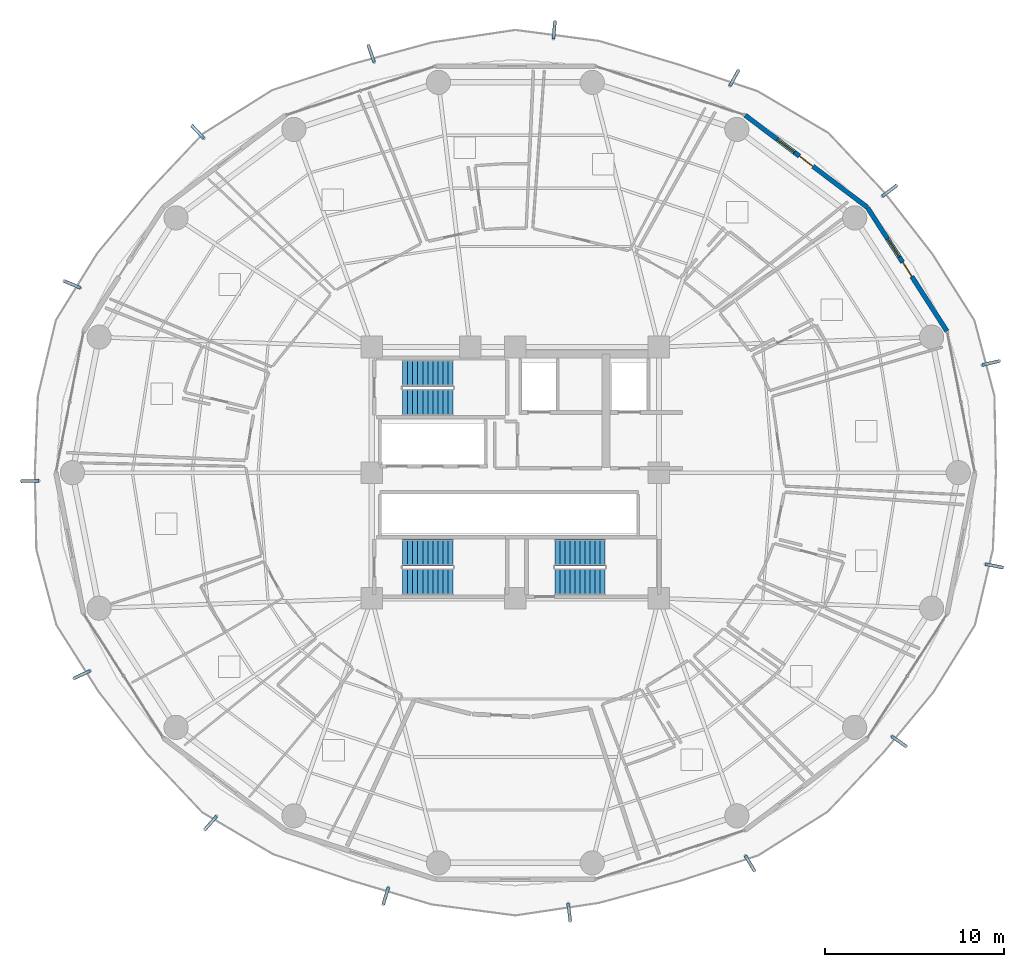
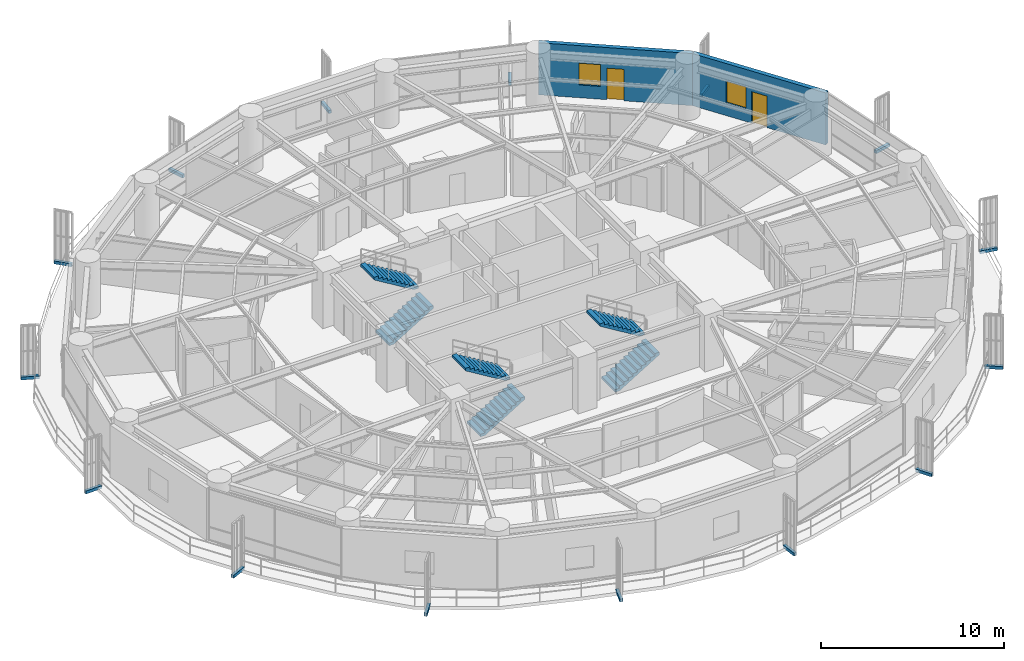
# One storey, part 33 of 37: 15 discrete accessories, 6 stair flights, 2 doors, 2 walls, 2 windows, 4 openings, 3 elements without a shape of their own.
"""IFC4 building model written with IfcOpenShell, lengths in metres."""

from ifc_helpers import new_model, si_unit, direction, frame, frame_2d, origin, origin_2d, place, context, subcontext, project, spatial, polyline, rectangle, outline, extrude, source, transform, mapped, material, layer, layer_set, type_object, element, fill, aggregate, save


model = new_model("IFC4")

# Units and contexts
model_context = context("Model", 3, precision=1e-05, world=origin(), true_north=direction((0.0, 1.0)))
body_context = subcontext(model_context, "Body", "Model", "MODEL_VIEW")
ifc_project = project(units=[si_unit("LENGTHUNIT", "METRE"), si_unit("AREAUNIT", "SQUARE_METRE"), si_unit("VOLUMEUNIT", "CUBIC_METRE"), si_unit("PLANEANGLEUNIT", "RADIAN"), si_unit("MASSUNIT", "GRAM", prefix="KILO")], contexts=[model_context])

# Site, building, storey
site_placement = place(None, origin())
site = spatial("IfcSite", under=ifc_project, at=site_placement, CompositionType="ELEMENT")
building_placement = place(site_placement, origin())
building = spatial("IfcBuilding", under=site, at=building_placement, Name="Kelanora Arch Commons", CompositionType="ELEMENT")
storey_placement = place(building_placement, frame((0.0, 0.0, 110.10009765625)))
storey = spatial("IfcBuildingStorey", under=building, at=storey_placement, Name="L28", CompositionType="ELEMENT", Elevation=110.10009765625)

# Wall, openings, door, window
ifc_material_1 = material(Name="Precast concrete C40/50 with terracotta rainscreen", Category="masonry")
ifc_layer = layer(ifc_material_1, 0.260009765625)
ifc_layer_set = layer_set([ifc_layer], Name="Precast concrete C40/50 with terracotta rainscreen")
wall_type = type_object("IfcWallType", Name="W-EXT-TC", PredefinedType="SOLIDWALL", material=ifc_layer_set)
wall_1_placement = place(storey_placement, frame((98.048095703125, 65.879150390625, 0.0), z_axis=(0.0, 0.0, 1.0), x_axis=(-0.540620528459, 0.841266571432, 0.0)))
wall_1 = element("IfcWall", 1, at=wall_1_placement, inside=storey, type_object=wall_type, Name="Terracotta Exterior Wall L28-B01", PredefinedType="SOLIDWALL", context=body_context, shape_type="SweptSolid", body=[
    extrude(rectangle(XDim=8.19287109375, YDim=0.260009765625, at=frame_2d((4.096435546875, 0.0))), origin(), (0.0, 0.0, 1.0), 3.474853515625),
])
opening_1_placement = place(wall_1_placement, frame((3.62109375, 0.0, 0.0)))
opening_1 = element("IfcOpeningElement", 2, at=opening_1_placement, cuts=wall_1, Name="Opening DB-01", PredefinedType="OPENING", context=body_context, shape_type="SweptSolid", body=[
    extrude(rectangle(XDim=0.949951171875, YDim=2.10009765625, at=frame_2d((0.47509765625, 1.050048828125))), frame((0.0, 0.14013671875, 0.0), z_axis=(0.0, -1.0, 0.0), x_axis=(1.0, 0.0, 0.0)), (0.0, 0.0, 1.0), 0.280029296875),
])
opening_2_placement = place(wall_1_placement, frame((4.9208984375, 0.0, 0.85009765625)))
opening_2 = element("IfcOpeningElement", 3, at=opening_2_placement, cuts=wall_1, Name="Opening WN-02", PredefinedType="OPENING", context=body_context, shape_type="SweptSolid", body=[
    extrude(rectangle(XDim=1.199951171875, YDim=1.449951171875, at=frame_2d((0.60009765625, 0.72509765625))), frame((0.0, 0.14013671875, 0.0), z_axis=(0.0, -1.0, 0.0), x_axis=(1.0, 0.0, 0.0)), (0.0, 0.0, 1.0), 0.280029296875),
])
ifc_material_2 = material(Name="Terracotta-aluminium thermally broken glazed balcony door", Category="masonry")
door_type = type_object("IfcDoorType", Name="D-BAL-10", OperationType="NOTDEFINED", PredefinedType="DOOR", material=ifc_material_2)
door_1_placement = place(opening_1_placement, frame((0.949951171875, 0.0, 0.0), z_axis=(0.0, 0.0, 1.0), x_axis=(-1.0, 0.0, 0.0)))
door_1 = element("IfcDoor", 4, at=door_1_placement, inside=storey, type_object=door_type, Name="Wave Balcony Door L28-B01", OperationType="SINGLE_SWING_RIGHT", OverallHeight=2.10009765625, OverallWidth=0.949951171875, PredefinedType="DOOR", context=body_context, shape_type="SweptSolid", body=[
    extrude(rectangle(XDim=0.949951171875, YDim=2.10009765625, at=frame_2d((0.47509765625, 1.050048828125))), frame((0.0, 0.02490234375, 0.0), z_axis=(0.0, -1.0, 0.0), x_axis=(1.0, 0.0, 0.0)), (0.0, 0.0, 1.0), 0.050048828125),
])
fill(opening_1, door_1)
ifc_material_3 = material(Name="Terracotta-anodised aluminium frame with operable awning sash", Category="masonry")
window_type = type_object("IfcWindowType", Name="WIN-CL-12", PartitioningType="SINGLE_PANEL", PredefinedType="WINDOW", material=ifc_material_3)
window_1_placement = place(opening_2_placement, origin())
window_1 = element("IfcWindow", 5, at=window_1_placement, inside=storey, type_object=window_type, Name="Co-Living Operable Window L28-B01", OverallHeight=1.449951171875, OverallWidth=1.199951171875, PartitioningType="SINGLE_PANEL", PredefinedType="WINDOW", context=body_context, shape_type="SweptSolid", body=[
    extrude(rectangle(XDim=1.199951171875, YDim=1.449951171875, at=frame_2d((0.60009765625, 0.72509765625))), frame((0.0, 0.030029296875, 0.0), z_axis=(0.0, -1.0, 0.0), x_axis=(1.0, 0.0, 0.0)), (0.0, 0.0, 1.0), 0.06005859375),
])
fill(opening_2, window_1)

wall_2_placement = place(storey_placement, frame((93.5986328125, 72.793212890625, 0.0), z_axis=(0.0, 0.0, 1.0), x_axis=(-0.798501507879, 0.601992808857, 0.0)))
wall_2 = element("IfcWall", 6, at=wall_2_placement, inside=storey, type_object=wall_type, Name="Terracotta Exterior Wall L28-B02", PredefinedType="SOLIDWALL", context=body_context, shape_type="SweptSolid", body=[
    extrude(rectangle(XDim=8.499267578125, YDim=0.260009765625, at=frame_2d((4.24951171875, 0.0))), origin(), (0.0, 0.0, 1.0), 3.474853515625),
])
opening_3_placement = place(wall_2_placement, frame((3.77490234375, 0.0, 0.0)))
opening_3 = element("IfcOpeningElement", 7, at=opening_3_placement, cuts=wall_2, Name="Opening DB-01", PredefinedType="OPENING", context=body_context, shape_type="SweptSolid", body=[
    extrude(rectangle(XDim=0.949951171875, YDim=2.10009765625, at=frame_2d((0.47509765625, 1.050048828125))), frame((0.0, 0.14013671875, 0.0), z_axis=(0.0, -1.0, 0.0), x_axis=(1.0, 0.0, 0.0)), (0.0, 0.0, 1.0), 0.280029296875),
])
opening_4_placement = place(wall_2_placement, frame((5.074951171875, 0.0, 0.85009765625)))
opening_4 = element("IfcOpeningElement", 8, at=opening_4_placement, cuts=wall_2, Name="Opening WN-02", PredefinedType="OPENING", context=body_context, shape_type="SweptSolid", body=[
    extrude(rectangle(XDim=1.199951171875, YDim=1.449951171875, at=frame_2d((0.60009765625, 0.72509765625))), frame((0.0, 0.14013671875, 0.0), z_axis=(0.0, -1.0, 0.0), x_axis=(1.0, 0.0, 0.0)), (0.0, 0.0, 1.0), 0.280029296875),
])
door_2_placement = place(opening_3_placement, frame((0.949951171875, 0.0, 0.0), z_axis=(0.0, 0.0, 1.0), x_axis=(-1.0, 0.0, 0.0)))
door_2 = element("IfcDoor", 9, at=door_2_placement, inside=storey, type_object=door_type, Name="Wave Balcony Door L28-B02", OperationType="SINGLE_SWING_LEFT", OverallHeight=2.10009765625, OverallWidth=0.949951171875, PredefinedType="DOOR", context=body_context, shape_type="SweptSolid", body=[
    extrude(rectangle(XDim=0.949951171875, YDim=2.10009765625, at=frame_2d((0.47509765625, 1.050048828125))), frame((0.0, 0.02490234375, 0.0), z_axis=(0.0, -1.0, 0.0), x_axis=(1.0, 0.0, 0.0)), (0.0, 0.0, 1.0), 0.050048828125),
])
fill(opening_3, door_2)
window_2_placement = place(opening_4_placement, origin())
window_2 = element("IfcWindow", 10, at=window_2_placement, inside=storey, type_object=window_type, Name="Co-Living Operable Window L28-B02", OverallHeight=1.449951171875, OverallWidth=1.199951171875, PartitioningType="SINGLE_PANEL", PredefinedType="WINDOW", context=body_context, shape_type="SweptSolid", body=[
    extrude(rectangle(XDim=1.199951171875, YDim=1.449951171875, at=frame_2d((0.60009765625, 0.72509765625))), frame((0.0, 0.030029296875, 0.0), z_axis=(0.0, -1.0, 0.0), x_axis=(1.0, 0.0, 0.0)), (0.0, 0.0, 1.0), 0.06005859375),
])
fill(opening_4, window_2)

# Stair, stair flights
ifc_material_4 = material(Name="Concrete C40/50", Category="concrete")
stair_type = type_object("IfcStairType", Name="STR-DL-375", PredefinedType="HALF_TURN_STAIR", material=ifc_material_4)
stair_1_placement = place(storey_placement, origin())
stair_1 = element("IfcStair", 11, at=stair_1_placement, inside=storey, type_object=stair_type, Name="L28 ST-T1", PredefinedType="HALF_TURN_STAIR")
stair_flight_type = type_object("IfcStairFlightType", Name="FLT-DL-375", PredefinedType="STRAIGHT", material=ifc_material_4)
stair_flight_1_placement = place(storey_placement, frame((67.719970703125, 61.919921875, 0.0), z_axis=(0.0, 0.0, 1.0), x_axis=(1.0, 0.0, 0.0)))
stair_flight_1 = element("IfcStairFlight", 12, at=stair_flight_1_placement, type_object=stair_flight_type, Name="ST-T1 flight 1", NumberOfRisers=11, NumberOfTreads=10, PredefinedType="STRAIGHT", RiserHeight=0.170454545, TreadLength=0.28, context=body_context, shape_type="SweptSolid", body=[
    extrude(outline(polyline([(0.0, 0.0), (0.0, 0.17041015625), (0.280029296875, 0.17041015625), (0.280029296875, 0.3408203125), (0.56005859375, 0.3408203125), (0.56005859375, 0.511474609375), (0.840087890625, 0.511474609375), (0.840087890625, 0.681884765625), (1.1201171875, 0.681884765625), (1.1201171875, 0.852294921875), (1.39990234375, 0.852294921875), (1.39990234375, 1.022705078125), (1.679931640625, 1.022705078125), (1.679931640625, 1.193115234375), (1.9599609375, 1.193115234375), (1.9599609375, 1.363525390625), (2.239990234375, 1.363525390625), (2.239990234375, 1.5341796875), (2.52001953125, 1.5341796875), (2.52001953125, 1.70458984375), (2.800048828125, 1.70458984375), (2.800048828125, 1.875), (2.800048828125, 1.529052734375), (0.288330078125, 0.0), (0.0, 0.0)])), frame((0.0, 0.739990234375, 0.0), z_axis=(0.0, -1.0, 0.0), x_axis=(1.0, 0.0, 0.0)), (0.0, 0.0, 1.0), 1.47998046875),
])
stair_flight_2_placement = place(storey_placement, frame((70.52001953125, 63.550048828125, 1.875), z_axis=(0.0, 0.0, 1.0), x_axis=(-1.0, 0.0, 0.0)))
stair_flight_2 = element("IfcStairFlight", 13, at=stair_flight_2_placement, type_object=stair_flight_type, Name="ST-T1 flight 2", NumberOfRisers=11, NumberOfTreads=10, PredefinedType="STRAIGHT", RiserHeight=0.170454545, TreadLength=0.28, context=body_context, shape_type="SweptSolid", body=[
    extrude(outline(polyline([(0.0, 0.0), (0.0, 0.17041015625), (0.280029296875, 0.17041015625), (0.280029296875, 0.3408203125), (0.56005859375, 0.3408203125), (0.56005859375, 0.511474609375), (0.840087890625, 0.511474609375), (0.840087890625, 0.681884765625), (1.1201171875, 0.681884765625), (1.1201171875, 0.852294921875), (1.39990234375, 0.852294921875), (1.39990234375, 1.022705078125), (1.679931640625, 1.022705078125), (1.679931640625, 1.193115234375), (1.9599609375, 1.193115234375), (1.9599609375, 1.363525390625), (2.239990234375, 1.363525390625), (2.239990234375, 1.5341796875), (2.52001953125, 1.5341796875), (2.52001953125, 1.70458984375), (2.800048828125, 1.70458984375), (2.800048828125, 1.875), (2.800048828125, 1.529052734375), (0.288330078125, 0.0), (0.0, 0.0)])), frame((0.0, 0.739990234375, 0.0), z_axis=(0.0, -1.0, 0.0), x_axis=(1.0, 0.0, 0.0)), (0.0, 0.0, 1.0), 1.47998046875),
])
aggregate(stair_1, [stair_flight_1, stair_flight_2])

stair_2_placement = place(storey_placement, origin())
stair_2 = element("IfcStair", 14, at=stair_2_placement, inside=storey, type_object=stair_type, Name="L28 ST-T2", PredefinedType="HALF_TURN_STAIR")
stair_flight_3_placement = place(storey_placement, frame((76.199951171875, 51.919921875, 0.0), z_axis=(0.0, 0.0, 1.0), x_axis=(1.0, 0.0, 0.0)))
stair_flight_3 = element("IfcStairFlight", 15, at=stair_flight_3_placement, type_object=stair_flight_type, Name="ST-T2 flight 1", NumberOfRisers=11, NumberOfTreads=10, PredefinedType="STRAIGHT", RiserHeight=0.170454545, TreadLength=0.28, context=body_context, shape_type="SweptSolid", body=[
    extrude(outline(polyline([(0.0, 0.0), (0.0, 0.17041015625), (0.280029296875, 0.17041015625), (0.280029296875, 0.3408203125), (0.56005859375, 0.3408203125), (0.56005859375, 0.511474609375), (0.840087890625, 0.511474609375), (0.840087890625, 0.681884765625), (1.1201171875, 0.681884765625), (1.1201171875, 0.852294921875), (1.39990234375, 0.852294921875), (1.39990234375, 1.022705078125), (1.679931640625, 1.022705078125), (1.679931640625, 1.193115234375), (1.9599609375, 1.193115234375), (1.9599609375, 1.363525390625), (2.239990234375, 1.363525390625), (2.239990234375, 1.5341796875), (2.52001953125, 1.5341796875), (2.52001953125, 1.70458984375), (2.800048828125, 1.70458984375), (2.800048828125, 1.875), (2.800048828125, 1.529052734375), (0.288330078125, 0.0), (0.0, 0.0)])), frame((0.0, 0.739990234375, 0.0), z_axis=(0.0, -1.0, 0.0), x_axis=(1.0, 0.0, 0.0)), (0.0, 0.0, 1.0), 1.47998046875),
])
stair_flight_4_placement = place(storey_placement, frame((79.0, 53.550048828125, 1.875), z_axis=(0.0, 0.0, 1.0), x_axis=(-1.0, 0.0, 0.0)))
stair_flight_4 = element("IfcStairFlight", 16, at=stair_flight_4_placement, type_object=stair_flight_type, Name="ST-T2 flight 2", NumberOfRisers=11, NumberOfTreads=10, PredefinedType="STRAIGHT", RiserHeight=0.170454545, TreadLength=0.28, context=body_context, shape_type="SweptSolid", body=[
    extrude(outline(polyline([(0.0, 0.0), (0.0, 0.17041015625), (0.280029296875, 0.17041015625), (0.280029296875, 0.3408203125), (0.56005859375, 0.3408203125), (0.56005859375, 0.511474609375), (0.840087890625, 0.511474609375), (0.840087890625, 0.681884765625), (1.1201171875, 0.681884765625), (1.1201171875, 0.852294921875), (1.39990234375, 0.852294921875), (1.39990234375, 1.022705078125), (1.679931640625, 1.022705078125), (1.679931640625, 1.193115234375), (1.9599609375, 1.193115234375), (1.9599609375, 1.363525390625), (2.239990234375, 1.363525390625), (2.239990234375, 1.5341796875), (2.52001953125, 1.5341796875), (2.52001953125, 1.70458984375), (2.800048828125, 1.70458984375), (2.800048828125, 1.875), (2.800048828125, 1.529052734375), (0.288330078125, 0.0), (0.0, 0.0)])), frame((0.0, 0.739990234375, 0.0), z_axis=(0.0, -1.0, 0.0), x_axis=(1.0, 0.0, 0.0)), (0.0, 0.0, 1.0), 1.47998046875),
])
aggregate(stair_2, [stair_flight_3, stair_flight_4])

stair_3_placement = place(storey_placement, origin())
stair_3 = element("IfcStair", 17, at=stair_3_placement, inside=storey, type_object=stair_type, Name="L28 ST-T3", PredefinedType="HALF_TURN_STAIR")
stair_flight_5_placement = place(storey_placement, frame((67.719970703125, 51.919921875, 0.0), z_axis=(0.0, 0.0, 1.0), x_axis=(1.0, 0.0, 0.0)))
stair_flight_5 = element("IfcStairFlight", 18, at=stair_flight_5_placement, type_object=stair_flight_type, Name="ST-T3 flight 1", NumberOfRisers=11, NumberOfTreads=10, PredefinedType="STRAIGHT", RiserHeight=0.170454545, TreadLength=0.28, context=body_context, shape_type="SweptSolid", body=[
    extrude(outline(polyline([(0.0, 0.0), (0.0, 0.17041015625), (0.280029296875, 0.17041015625), (0.280029296875, 0.3408203125), (0.56005859375, 0.3408203125), (0.56005859375, 0.511474609375), (0.840087890625, 0.511474609375), (0.840087890625, 0.681884765625), (1.1201171875, 0.681884765625), (1.1201171875, 0.852294921875), (1.39990234375, 0.852294921875), (1.39990234375, 1.022705078125), (1.679931640625, 1.022705078125), (1.679931640625, 1.193115234375), (1.9599609375, 1.193115234375), (1.9599609375, 1.363525390625), (2.239990234375, 1.363525390625), (2.239990234375, 1.5341796875), (2.52001953125, 1.5341796875), (2.52001953125, 1.70458984375), (2.800048828125, 1.70458984375), (2.800048828125, 1.875), (2.800048828125, 1.529052734375), (0.288330078125, 0.0), (0.0, 0.0)])), frame((0.0, 0.739990234375, 0.0), z_axis=(0.0, -1.0, 0.0), x_axis=(1.0, 0.0, 0.0)), (0.0, 0.0, 1.0), 1.47998046875),
])
stair_flight_6_placement = place(storey_placement, frame((70.52001953125, 53.550048828125, 1.875), z_axis=(0.0, 0.0, 1.0), x_axis=(-1.0, 0.0, 0.0)))
stair_flight_6 = element("IfcStairFlight", 19, at=stair_flight_6_placement, type_object=stair_flight_type, Name="ST-T3 flight 2", NumberOfRisers=11, NumberOfTreads=10, PredefinedType="STRAIGHT", RiserHeight=0.170454545, TreadLength=0.28, context=body_context, shape_type="SweptSolid", body=[
    extrude(outline(polyline([(0.0, 0.0), (0.0, 0.17041015625), (0.280029296875, 0.17041015625), (0.280029296875, 0.3408203125), (0.56005859375, 0.3408203125), (0.56005859375, 0.511474609375), (0.840087890625, 0.511474609375), (0.840087890625, 0.681884765625), (1.1201171875, 0.681884765625), (1.1201171875, 0.852294921875), (1.39990234375, 0.852294921875), (1.39990234375, 1.022705078125), (1.679931640625, 1.022705078125), (1.679931640625, 1.193115234375), (1.9599609375, 1.193115234375), (1.9599609375, 1.363525390625), (2.239990234375, 1.363525390625), (2.239990234375, 1.5341796875), (2.52001953125, 1.5341796875), (2.52001953125, 1.70458984375), (2.800048828125, 1.70458984375), (2.800048828125, 1.875), (2.800048828125, 1.529052734375), (0.288330078125, 0.0), (0.0, 0.0)])), frame((0.0, 0.739990234375, 0.0), z_axis=(0.0, -1.0, 0.0), x_axis=(1.0, 0.0, 0.0)), (0.0, 0.0, 1.0), 1.47998046875),
])
aggregate(stair_3, [stair_flight_5, stair_flight_6])

# Discrete accessories
ifc_material_5 = material(Name="Stainless steel 316 marine fin bracket", Category="steel")
discrete_accessory_type = type_object("IfcDiscreteAccessoryType", Name="ACC-FIN-BRK", PredefinedType="BRACKET", material=ifc_material_5)
shared_shape = source(origin(), body_context, "Body", "SweptSolid", [
    extrude(rectangle(XDim=1.00537109375, YDim=0.179931640625, at=origin_2d()), origin(), (0.0, 0.0, 1.0), 0.199951171875),
])
for number, where, z_axis, x_axis, name in (
    (20, (94.847412109375, 73.700927734375, -0.16015625), (0.0, 0.0, 1.0), (0.79884553446, 0.60153621011, 0.0), "Sweeping Fin Cantilever Spine Bracket L28-00"),
    (21, (86.19580078125, 79.988525390625, -0.16015625), (0.0, 0.0, 1.0), (0.485114890576, 0.874450423376, 0.0), "Sweeping Fin Cantilever Spine Bracket L28-01"),
    (22, (76.164794921875, 82.668701171875, -0.16015625), (0.0, 0.0, 1.0), (0.08750347498, 0.996164214307, 0.0), "Sweeping Fin Cantilever Spine Bracket L28-02"),
    (23, (65.96728515625, 81.348388671875, -0.16015625), (0.0, 0.0, 1.0), (-0.325238086383, 0.945632162717, 0.0), "Sweeping Fin Cantilever Spine Bracket L28-03"),
    (24, (56.303466796875, 76.9873046875, -0.16015625), (0.0, 0.0, 1.0), (-0.681870704375, 0.731472721648, 0.0), "Sweeping Fin Cantilever Spine Bracket L28-04"),
    (25, (49.304443359375, 68.490234375, -0.16015625), (0.0, 0.0, 1.0), (-0.920436643986, 0.390891780942, 0.0), "Sweeping Fin Cantilever Spine Bracket L28-05"),
    (26, (46.95068359375, 57.534912109375, -0.16015625), (0.0, 0.0, 1.0), (-0.999850725947, -0.017277899829, 0.0), "Sweeping Fin Cantilever Spine Bracket L28-06"),
    (27, (49.8486328125, 46.745849609375, -0.16015625), (0.0, 0.0, 1.0), (-0.906381534034, -0.422460074755, 0.0), "Sweeping Fin Cantilever Spine Bracket L28-07"),
    (28, (57.01953125, 38.4765625, -0.16015625), (0.0, 0.0, 1.0), (-0.656190740668, -0.754595064827, 0.0), "Sweeping Fin Cantilever Spine Bracket L28-08"),
    (29, (66.78076171875, 34.40869140625, -0.16015625), (0.0, 0.0, 1.0), (-0.292538606935, -0.956253712909, 0.0), "Sweeping Fin Cantilever Spine Bracket L28-09"),
    (30, (77.002197265625, 33.495849609375, -0.16015625), (0.0, 0.0, 1.0), (0.121696109567, -0.992567406737, 0.0), "Sweeping Fin Cantilever Spine Bracket L28-10"),
    (31, (87.069580078125, 36.235595703125, -0.16015625), (0.0, 0.0, 1.0), (0.51488846315, -0.857257178748, 0.0), "Sweeping Fin Cantilever Spine Bracket L28-11"),
    (32, (95.37890625, 43.022216796875, -0.16015625), (0.0, 0.0, 1.0), (0.81905192384, -0.573719396617, 0.0), "Sweeping Fin Cantilever Spine Bracket L28-12"),
    (33, (100.677001953125, 52.807373046875, -0.16015625), (0.0, 0.0, 1.0), (0.981593866045, -0.190980318733, 0.0), "Sweeping Fin Cantilever Spine Bracket L28-13"),
    (34, (100.497314453125, 64.110107421875, -0.16015625), (0.0, 0.0, 1.0), (0.97440931131, 0.224780991261, 0.0), "Sweeping Fin Cantilever Spine Bracket L28-14"),
):
    element("IfcDiscreteAccessory", number, at=place(storey_placement, frame(where, z_axis=z_axis, x_axis=x_axis)), inside=storey, type_object=discrete_accessory_type, Name=name, PredefinedType="BRACKET", context=body_context, shape_type="MappedRepresentation", body=[
        mapped(shared_shape, transform((0.0, 0.0, 0.0), scale=1.0)),
    ])

save(model, "model.ifc")
